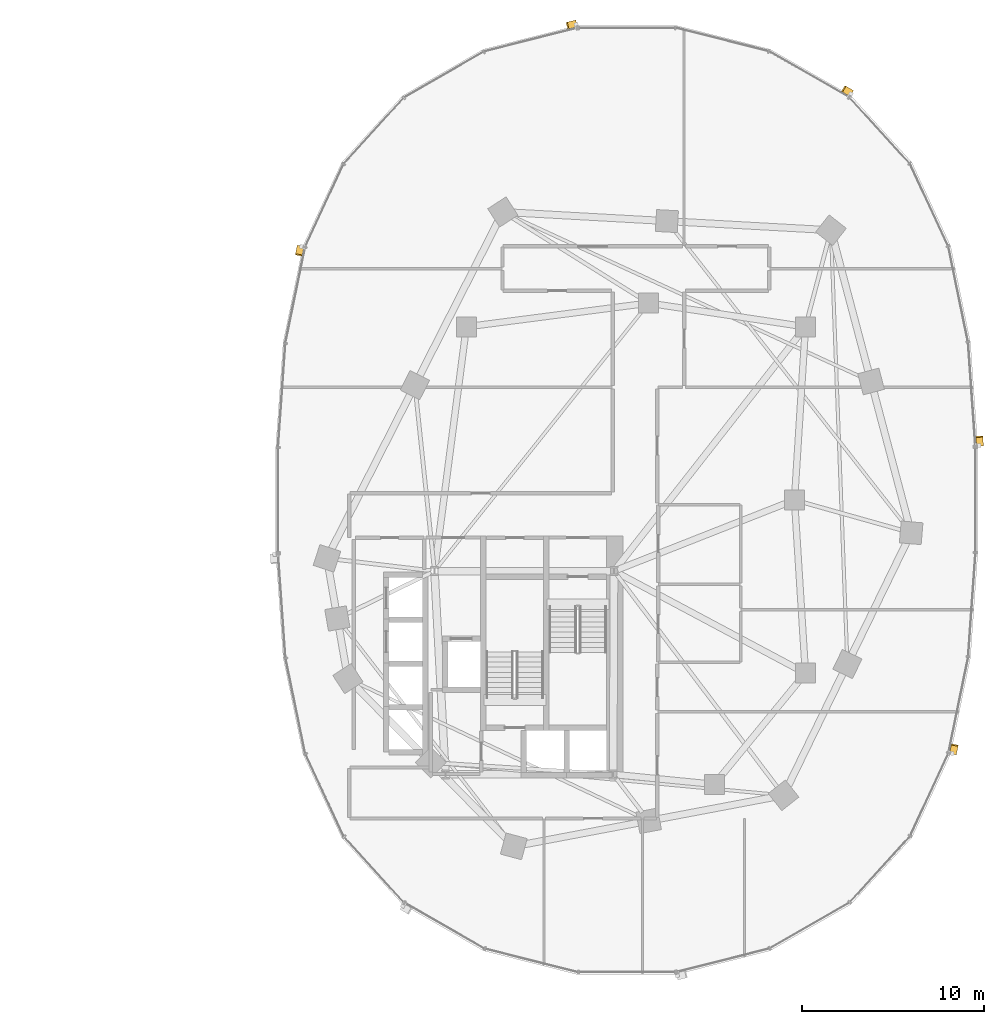
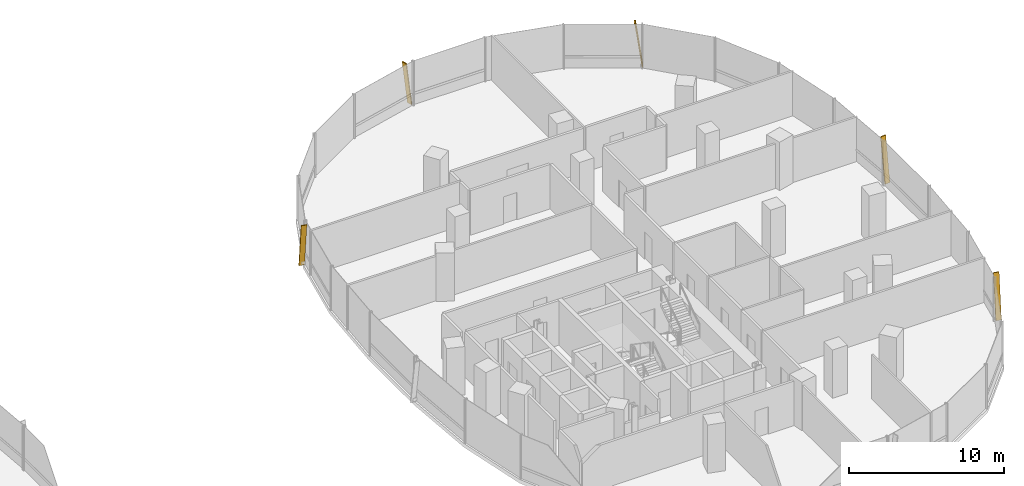
# One storey, part 22 of 22: 5 shading devices.
"""IFC4 building model written with IfcOpenShell, lengths in metres."""

from ifc_helpers import new_model, si_unit, direction, frame, origin, origin_2d, place, context, subcontext, project, spatial, rectangle, extrude, material, material_profile, profile_set, type_object, element, save


model = new_model("IFC4")

# Units and contexts
model_context = context("Model", 3, precision=1e-05, world=origin(), true_north=direction((0.0, 1.0)))
body_context = subcontext(model_context, "Body", "Model", "MODEL_VIEW")
ifc_project = project(units=[si_unit("LENGTHUNIT", "METRE"), si_unit("AREAUNIT", "SQUARE_METRE"), si_unit("VOLUMEUNIT", "CUBIC_METRE"), si_unit("PLANEANGLEUNIT", "RADIAN"), si_unit("MASSUNIT", "GRAM", prefix="KILO"), si_unit("THERMODYNAMICTEMPERATUREUNIT", "KELVIN"), si_unit("POWERUNIT", "WATT")], contexts=[model_context])

# Site, building, storey
site_placement = place(None, origin())
site = spatial("IfcSite", under=ifc_project, at=site_placement, CompositionType="ELEMENT")
building_placement = place(site_placement, origin())
building = spatial("IfcBuilding", under=site, at=building_placement, Name="Cundina Bronze Exchange", CompositionType="ELEMENT")
storey_placement = place(building_placement, frame((0.0, 0.0, 39.199951171875)))
storey = spatial("IfcBuildingStorey", under=building, at=storey_placement, Name="L09", CompositionType="ELEMENT", Elevation=39.199951171875)

# Shading devices
ifc_material = material(Name="Anodised Bronze Aluminium 6063-T6", Category="aluminium")
ifc_material_profile = material_profile(ifc_material, rectangle(XDim=0.070068359375, YDim=0.3798828125, at=origin_2d()), Name="FIN70X380", Category="aluminium")
ifc_profile_set = profile_set([ifc_material_profile], Name="Anodised Bronze Aluminium 6063-T6")
shading_device_type = type_object("IfcShadingDeviceType", Name="SHD-FIN-BRZ380", PredefinedType="USERDEFINED", material=ifc_profile_set)
for number, where, z_axis, x_axis, name in (
    (1, (51.3740234375, 2.993896484375, 0.02001953125), (-0.009645159174, 0.137059109714, 0.990515911709), (0.06953288269, -0.988072340253, 0.137398066402), "L09 Diagonal Bronze Solar Fin 1"),
    (2, (44.314208984375, 22.314208984375, 0.02001953125), (-0.119166378275, 0.06842456559, 0.990513731915), (0.85898178632, -0.493221799887, 0.137413779831), "L09 Diagonal Bronze Solar Fin 5"),
    (3, (29.212646484375, 26.138427734375, 0.02001953125), (-0.133214830938, -0.033688115694, 0.990514472221), (0.960284642503, 0.242842181368, 0.137408443412), "L09 Diagonal Bronze Solar Fin 1"),
    (4, (14.10400390625, 13.911865234375, 0.02001953125), (-0.027747134956, -0.134612045151, 0.990509815096), (0.199966585563, 0.970114971774, 0.137442010309), "L09 Diagonal Bronze Solar Fin 5"),
    (5, (49.89599609375, -13.911865234375, 0.02001953125), (0.027747134956, 0.134612045151, 0.990509815096), (-0.199966585563, -0.970114971774, 0.137442010309), "L09 Diagonal Bronze Solar Fin 5"),
):
    element("IfcShadingDevice", number, at=place(storey_placement, frame(where, z_axis=z_axis, x_axis=x_axis)), inside=storey, type_object=shading_device_type, Name=name, ObjectType="FIN", PredefinedType="USERDEFINED", context=body_context, shape_type="SweptSolid", body=[
        extrude(rectangle(XDim=0.070068359375, YDim=0.3798828125, at=origin_2d()), origin(), (0.0, 0.0, 1.0), 3.4931640625),
    ])

save(model, "model.ifc")
